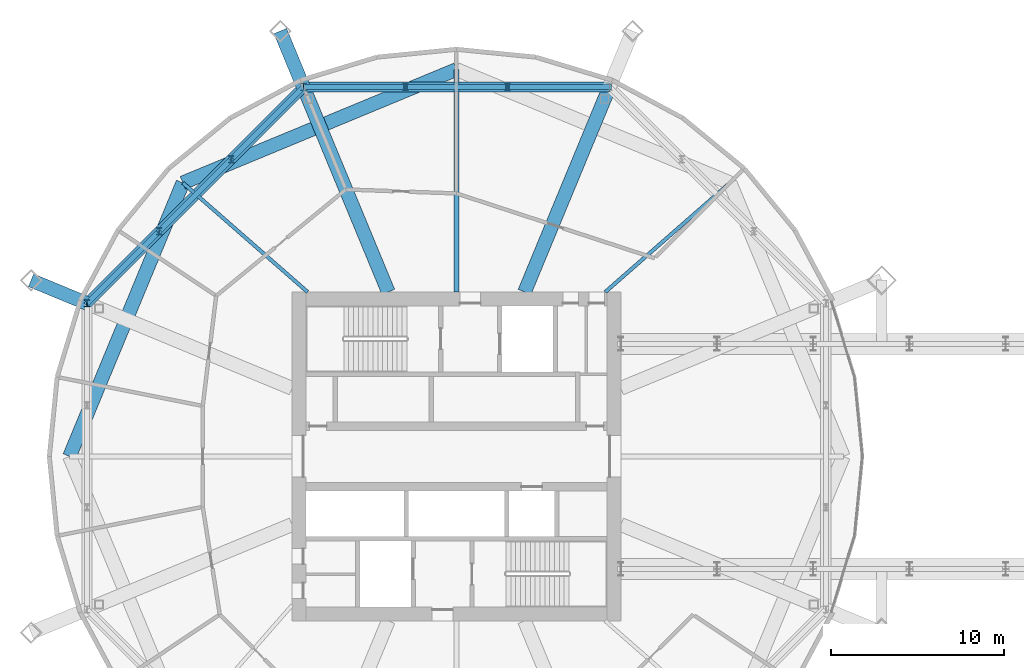
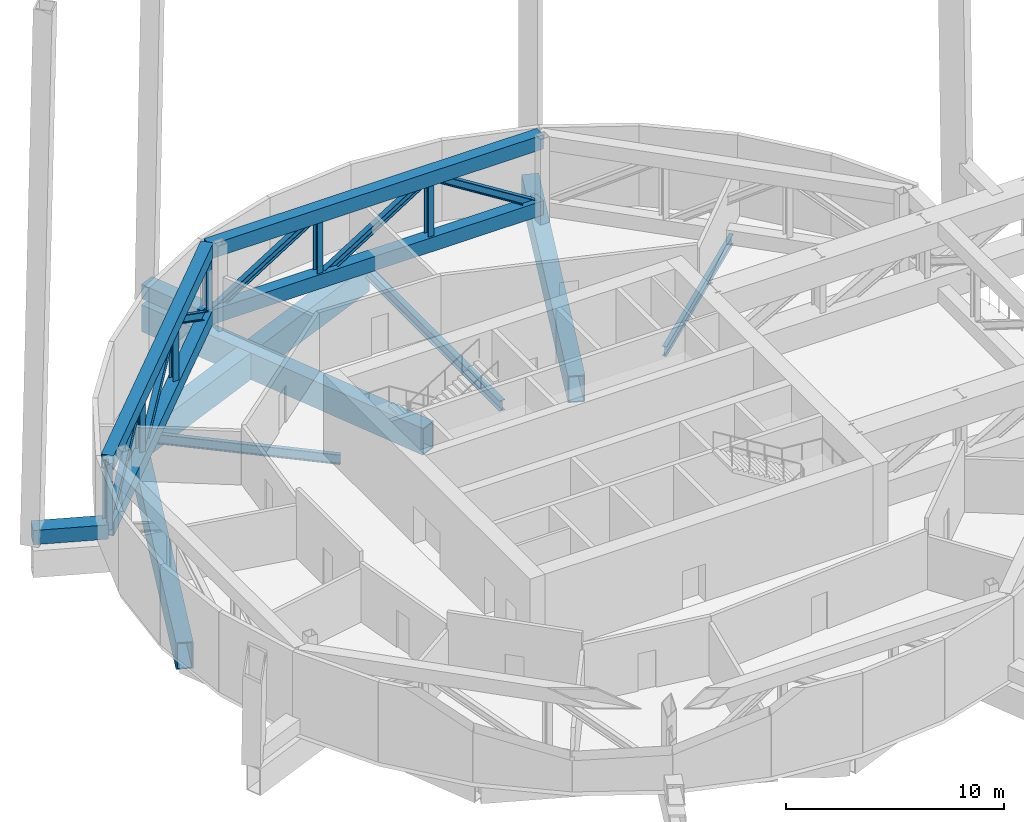
# One storey, part 6 of 19: 16 members, 9 beams.
"""IFC4 building model written with IfcOpenShell, lengths in metres."""

from ifc_helpers import new_model, si_unit, direction, frame, origin, origin_2d, place, context, subcontext, project, spatial, hollow_rectangle, i_section, extrude, material, material_profile, profile_set, type_object, element, save


model = new_model("IFC4")

# Units and contexts
model_context = context("Model", 3, precision=1e-05, world=origin(), true_north=direction((0.0, 1.0)))
body_context = subcontext(model_context, "Body", "Model", "MODEL_VIEW")
ifc_project = project(units=[si_unit("LENGTHUNIT", "METRE"), si_unit("AREAUNIT", "SQUARE_METRE"), si_unit("VOLUMEUNIT", "CUBIC_METRE"), si_unit("PLANEANGLEUNIT", "RADIAN"), si_unit("MASSUNIT", "GRAM", prefix="KILO")], contexts=[model_context])

# Site, building, storey
site_placement = place(None, origin())
site = spatial("IfcSite", under=ifc_project, at=site_placement, CompositionType="ELEMENT")
building_placement = place(site_placement, origin())
building = spatial("IfcBuilding", under=site, at=building_placement, Name="Ogive Gate Towers", CompositionType="ELEMENT")
storey_placement = place(building_placement, frame((0.0, 0.0, 130.800048828125)))
storey = spatial("IfcBuildingStorey", under=building, at=storey_placement, Name="L31", CompositionType="ELEMENT", Elevation=130.800048828125)

# Beams
ifc_material_1 = material(Name="Steel SM460", Category="steel")
ifc_material_profile_1 = material_profile(ifc_material_1, hollow_rectangle(XDim=0.800048828125, YDim=1.5, WallThickness=0.06005859375, at=origin_2d()), Name="BX 1500x800x60")
ifc_profile_set_1 = profile_set([ifc_material_profile_1], Name="Steel SM460")
beam_type_1 = type_object("IfcBeamType", Name="Edge girder BX 1500x800x60", PredefinedType="BEAM", material=ifc_profile_set_1)
for number, where, z_axis, x_axis, name in (
    (1, (-36.0, 22.35009765625, -1.050048828125), (-0.923880978344, -0.382679941797, 0.0), (0.382679941797, -0.923880978344, 0.0), "T1/L31/SBM022"),
    (2, (-51.803955078125, 15.803955078125, -1.050048828125), (-0.382679941797, -0.923880978344, 0.0), (0.923880978344, -0.382679941797, 0.0), "T1/L31/SBM023"),
):
    element("IfcBeam", number, at=place(storey_placement, frame(where, z_axis=z_axis, x_axis=x_axis)), inside=storey, type_object=beam_type_1, Name=name, PredefinedType="BEAM", context=body_context, shape_type="SweptSolid", body=[
        extrude(hollow_rectangle(XDim=0.800048828125, YDim=1.5, WallThickness=0.06005859375, at=origin_2d()), origin(), (0.0, 0.0, 1.0), 17.10595703125),
    ])
ifc_material_profile_2 = material_profile(ifc_material_1, hollow_rectangle(XDim=0.800048828125, YDim=0.800048828125, WallThickness=0.050048828125, at=origin_2d()), Name="BX 800x800x50")
ifc_profile_set_2 = profile_set([ifc_material_profile_2], Name="Steel SM460")
beam_type_2 = type_object("IfcBeamType", Name="Node arm BX 800x800x50", PredefinedType="BEAM", material=ifc_profile_set_2)
for number, where, z_axis, x_axis, name in (
    (3, (-44.840087890625, 21.341552734375, 0.449951171875), (-0.382668033682, 0.923885910704, 0.0), (-0.923885910704, -0.382668033682, 0.0), "T1/L31/SBM027"),
    (4, (-57.341552734375, 8.840087890625, 0.449951171875), (-0.923885910704, 0.382668033682, 0.0), (-0.382668033682, -0.923885910704, 0.0), "T1/L31/SBM028"),
):
    element("IfcBeam", number, at=place(storey_placement, frame(where, z_axis=z_axis, x_axis=x_axis)), inside=storey, type_object=beam_type_2, Name=name, PredefinedType="BEAM", context=body_context, shape_type="SweptSolid", body=[
        extrude(hollow_rectangle(XDim=0.800048828125, YDim=0.800048828125, WallThickness=0.050048828125, at=origin_2d()), origin(), (0.0, 0.0, 1.0), 3.5),
    ])
ifc_material_2 = material(Name="Steel SM355", Category="steel")
ifc_material_profile_3 = material_profile(ifc_material_2, i_section(OverallWidth=0.300048828125, OverallDepth=0.590087890625, WebThickness=0.012939453125, FlangeThickness=0.02490234375, FilletRadius=0.027099609375, at=origin_2d()), Name="HE 600 A")
ifc_profile_set_3 = profile_set([ifc_material_profile_3], Name="Steel SM355")
beam_type_3 = type_object("IfcBeamType", Name="Radial floor beam HE 600 A", PredefinedType="BEAM", material=ifc_profile_set_3)
beam_placement = place(storey_placement, frame((-36.0, 9.5, -0.594970703125), z_axis=(0.0, 1.0, 0.0), x_axis=(-1.0, 0.0, 0.0)))
element("IfcBeam", 5, at=beam_placement, inside=storey, type_object=beam_type_3, Name="T1/L31/SBM011", PredefinedType="BEAM", context=body_context, shape_type="SweptSolid", body=[
    extrude(i_section(OverallWidth=0.300048828125, OverallDepth=0.590087890625, WebThickness=0.012939453125, FlangeThickness=0.02490234375, FilletRadius=0.027099609375, at=origin_2d()), origin(), (0.0, 0.0, 1.0), 12.85009765625),
])
ifc_material_profile_4 = material_profile(ifc_material_2, i_section(OverallWidth=0.2099609375, OverallDepth=0.550048828125, WebThickness=0.010986328125, FlangeThickness=0.01708984375, FilletRadius=0.02392578125, at=origin_2d()), Name="IPE 550")
ifc_profile_set_4 = profile_set([ifc_material_profile_4], Name="Steel SM355")
beam_type_4 = type_object("IfcBeamType", Name="Radial floor beam IPE 550", PredefinedType="BEAM", material=ifc_profile_set_4)
for number, where, z_axis, x_axis, name in (
    (6, (-27.39990234375, 9.5, -0.574951171875), (0.752546675937, 0.658538913457, 0.0), (-0.658538913457, 0.752546675937, 0.0), "T1/L31/SBM009"),
    (7, (-44.60009765625, 9.5, -0.574951171875), (-0.752546675937, 0.658538913457, 0.0), (-0.658538913457, -0.752546675937, 0.0), "T1/L31/SBM013"),
):
    element("IfcBeam", number, at=place(storey_placement, frame(where, z_axis=z_axis, x_axis=x_axis)), inside=storey, type_object=beam_type_4, Name=name, PredefinedType="BEAM", context=body_context, shape_type="SweptSolid", body=[
        extrude(i_section(OverallWidth=0.2099609375, OverallDepth=0.550048828125, WebThickness=0.010986328125, FlangeThickness=0.01708984375, FilletRadius=0.02392578125, at=origin_2d()), origin(), (0.0, 0.0, 1.0), 9.57275390625),
    ])
ifc_material_profile_5 = material_profile(ifc_material_1, hollow_rectangle(XDim=0.800048828125, YDim=1.5, WallThickness=0.06005859375, at=origin_2d()), Name="BX 1500x800x60")
ifc_profile_set_5 = profile_set([ifc_material_profile_5], Name="Steel SM460")
beam_type_5 = type_object("IfcBeamType", Name="Transfer radial beam BX 1500x800x60", PredefinedType="BEAM", material=ifc_profile_set_5)
for number, where, z_axis, x_axis, name in (
    (8, (-32.06494140625, 9.5, -1.050048828125), (0.382685232436, 0.923878786896, 0.0), (-0.923878786896, 0.382685232436, 0.0), "T1/L31/SBM010"),
    (9, (-39.93505859375, 9.5, -1.050048828125), (-0.382685232436, 0.923878786896, 0.0), (-0.923878786896, -0.382685232436, 0.0), "T1/L31/SBM012"),
):
    element("IfcBeam", number, at=place(storey_placement, frame(where, z_axis=z_axis, x_axis=x_axis)), inside=storey, type_object=beam_type_5, Name=name, PredefinedType="BEAM", context=body_context, shape_type="SweptSolid", body=[
        extrude(hollow_rectangle(XDim=0.800048828125, YDim=1.5, WallThickness=0.06005859375, at=origin_2d()), origin(), (0.0, 0.0, 1.0), 16.3173828125),
    ])

# Members
ifc_material_profile_6 = material_profile(ifc_material_1, hollow_rectangle(XDim=0.60009765625, YDim=0.800048828125, WallThickness=0.0400390625, at=origin_2d()), Name="BX 800x600x40")
ifc_profile_set_6 = profile_set([ifc_material_profile_6], Name="Steel SM460")
member_type_1 = type_object("IfcMemberType", Name="Truss chord BX 800x600x40", PredefinedType="CHORD", material=ifc_profile_set_6)
for number, where, z_axis, x_axis, name in (
    (10, (-27.159912109375, 21.341552734375, 0.39990234375), (-1.0, 0.0, 0.0), (0.0, -1.0, 0.0), "T1/L31/STR010"),
    (11, (-27.159912109375, 21.341552734375, 4.099853515625), (-1.0, 0.0, 0.0), (0.0, -1.0, 0.0), "T1/L31/STR011"),
):
    element("IfcMember", number, at=place(storey_placement, frame(where, z_axis=z_axis, x_axis=x_axis)), inside=storey, type_object=member_type_1, Name=name, PredefinedType="CHORD", context=body_context, shape_type="SweptSolid", body=[
        extrude(hollow_rectangle(XDim=0.60009765625, YDim=0.800048828125, WallThickness=0.0400390625, at=origin_2d()), origin(), (0.0, 0.0, 1.0), 17.68017578125),
    ])
for number, where, z_axis, x_axis, name in (
    (12, (-44.840087890625, 21.341552734375, 0.39990234375), (-0.707106781187, -0.707106781187, 0.0), (0.707106781187, -0.707106781187, 0.0), "T1/L31/STR018"),
    (13, (-44.840087890625, 21.341552734375, 4.099853515625), (-0.707106781187, -0.707106781187, 0.0), (0.707106781187, -0.707106781187, 0.0), "T1/L31/STR019"),
):
    element("IfcMember", number, at=place(storey_placement, frame(where, z_axis=z_axis, x_axis=x_axis)), inside=storey, type_object=member_type_1, Name=name, PredefinedType="CHORD", context=body_context, shape_type="SweptSolid", body=[
        extrude(hollow_rectangle(XDim=0.60009765625, YDim=0.800048828125, WallThickness=0.0400390625, at=origin_2d()), origin(), (0.0, 0.0, 1.0), 17.6796875),
    ])
ifc_material_profile_7 = material_profile(ifc_material_1, i_section(OverallWidth=0.300048828125, OverallDepth=0.39990234375, WebThickness=0.013427734375, FlangeThickness=0.02392578125, FilletRadius=0.027099609375, at=origin_2d()), Name="HE 400 B")
ifc_profile_set_7 = profile_set([ifc_material_profile_7], Name="Steel SM460")
member_type_2 = type_object("IfcMemberType", Name="Truss diagonal HE 400 B", PredefinedType="BRACE", material=ifc_profile_set_7)
member_1_placement = place(storey_placement, frame((-27.159912109375, 21.341552734375, 0.39990234375), z_axis=(-0.846922323401, 0.0, 0.531716633297), x_axis=(0.0, -1.0, 0.0)))
element("IfcMember", 14, at=member_1_placement, inside=storey, type_object=member_type_2, Name="T1/L31/STR012", PredefinedType="BRACE", context=body_context, shape_type="SweptSolid", body=[
    extrude(i_section(OverallWidth=0.300048828125, OverallDepth=0.39990234375, WebThickness=0.013427734375, FlangeThickness=0.02392578125, FilletRadius=0.027099609375, at=origin_2d()), origin(), (0.0, 0.0, 1.0), 6.95849609375),
])
member_2_placement = place(storey_placement, frame((-33.05322265625, 21.341552734375, 4.099853515625), z_axis=(-0.846932242345, 0.0, -0.531700833999), x_axis=(0.0, -1.0, 0.0)))
element("IfcMember", 15, at=member_2_placement, inside=storey, type_object=member_type_2, Name="T1/L31/STR013", PredefinedType="BRACE", context=body_context, shape_type="SweptSolid", body=[
    extrude(i_section(OverallWidth=0.300048828125, OverallDepth=0.39990234375, WebThickness=0.013427734375, FlangeThickness=0.02392578125, FilletRadius=0.027099609375, at=origin_2d()), origin(), (0.0, 0.0, 1.0), 6.958740234375),
])
for number, where, z_axis, x_axis, name in (
    (16, (-38.94677734375, 21.341552734375, 4.099853515625), (-0.846922323401, 0.0, -0.531716633297), (0.0, -1.0, 0.0), "T1/L31/STR014"),
    (17, (-44.840087890625, 21.341552734375, 0.39990234375), (-0.598866000046, -0.598866000046, 0.531713294903), (0.707106781187, -0.707106781187, 0.0), "T1/L31/STR020"),
):
    element("IfcMember", number, at=place(storey_placement, frame(where, z_axis=z_axis, x_axis=x_axis)), inside=storey, type_object=member_type_2, Name=name, PredefinedType="BRACE", context=body_context, shape_type="SweptSolid", body=[
        extrude(i_section(OverallWidth=0.300048828125, OverallDepth=0.39990234375, WebThickness=0.013427734375, FlangeThickness=0.02392578125, FilletRadius=0.027099609375, at=origin_2d()), origin(), (0.0, 0.0, 1.0), 6.95849609375),
    ])
member_3_placement = place(storey_placement, frame((-49.00732421875, 17.17431640625, 4.099853515625), z_axis=(-0.598856080222, -0.598856080222, -0.531735639545), x_axis=(0.707106781187, -0.707106781187, 0.0)))
element("IfcMember", 18, at=member_3_placement, inside=storey, type_object=member_type_2, Name="T1/L31/STR021", PredefinedType="BRACE", context=body_context, shape_type="SweptSolid", body=[
    extrude(i_section(OverallWidth=0.300048828125, OverallDepth=0.39990234375, WebThickness=0.013427734375, FlangeThickness=0.02392578125, FilletRadius=0.027099609375, at=origin_2d()), origin(), (0.0, 0.0, 1.0), 6.958251953125),
])
member_4_placement = place(storey_placement, frame((-53.17431640625, 13.00732421875, 4.099853515625), z_axis=(-0.598866000046, -0.598866000046, -0.531713294903), x_axis=(0.707106781187, -0.707106781187, 0.0)))
element("IfcMember", 19, at=member_4_placement, inside=storey, type_object=member_type_2, Name="T1/L31/STR022", PredefinedType="BRACE", context=body_context, shape_type="SweptSolid", body=[
    extrude(i_section(OverallWidth=0.300048828125, OverallDepth=0.39990234375, WebThickness=0.013427734375, FlangeThickness=0.02392578125, FilletRadius=0.027099609375, at=origin_2d()), origin(), (0.0, 0.0, 1.0), 6.95849609375),
])
ifc_material_profile_8 = material_profile(ifc_material_1, i_section(OverallWidth=0.300048828125, OverallDepth=0.39990234375, WebThickness=0.013427734375, FlangeThickness=0.02392578125, FilletRadius=0.027099609375, at=origin_2d()), Name="HE 400 B")
ifc_profile_set_8 = profile_set([ifc_material_profile_8], Name="Steel SM460")
member_type_3 = type_object("IfcMemberType", Name="Truss post HE 400 B", PredefinedType="POST", material=ifc_profile_set_8)
for number, where, z_axis, x_axis, name in (
    (20, (-33.05322265625, 21.341552734375, 0.39990234375), (0.0, 0.0, 1.0), (1.0, 0.0, 0.0), "T1/L31/STR015"),
    (21, (-38.94677734375, 21.341552734375, 0.39990234375), (0.0, 0.0, 1.0), (1.0, 0.0, 0.0), "T1/L31/STR016"),
    (22, (-44.840087890625, 21.341552734375, 0.39990234375), (0.0, 0.0, 1.0), (1.0, 0.0, 0.0), "T1/L31/STR017"),
    (23, (-49.00732421875, 17.17431640625, 0.39990234375), (0.0, 0.0, 1.0), (1.0, 0.0, 0.0), "T1/L31/STR023"),
    (24, (-53.17431640625, 13.00732421875, 0.39990234375), (0.0, 0.0, 1.0), (1.0, 0.0, 0.0), "T1/L31/STR024"),
    (25, (-57.341552734375, 8.840087890625, 0.39990234375), (0.0, 0.0, 1.0), (1.0, 0.0, 0.0), "T1/L31/STR025"),
):
    element("IfcMember", number, at=place(storey_placement, frame(where, z_axis=z_axis, x_axis=x_axis)), inside=storey, type_object=member_type_3, Name=name, PredefinedType="POST", context=body_context, shape_type="SweptSolid", body=[
        extrude(i_section(OverallWidth=0.300048828125, OverallDepth=0.39990234375, WebThickness=0.013427734375, FlangeThickness=0.02392578125, FilletRadius=0.027099609375, at=origin_2d()), origin(), (0.0, 0.0, 1.0), 3.699951171875),
    ])

save(model, "model.ifc")
